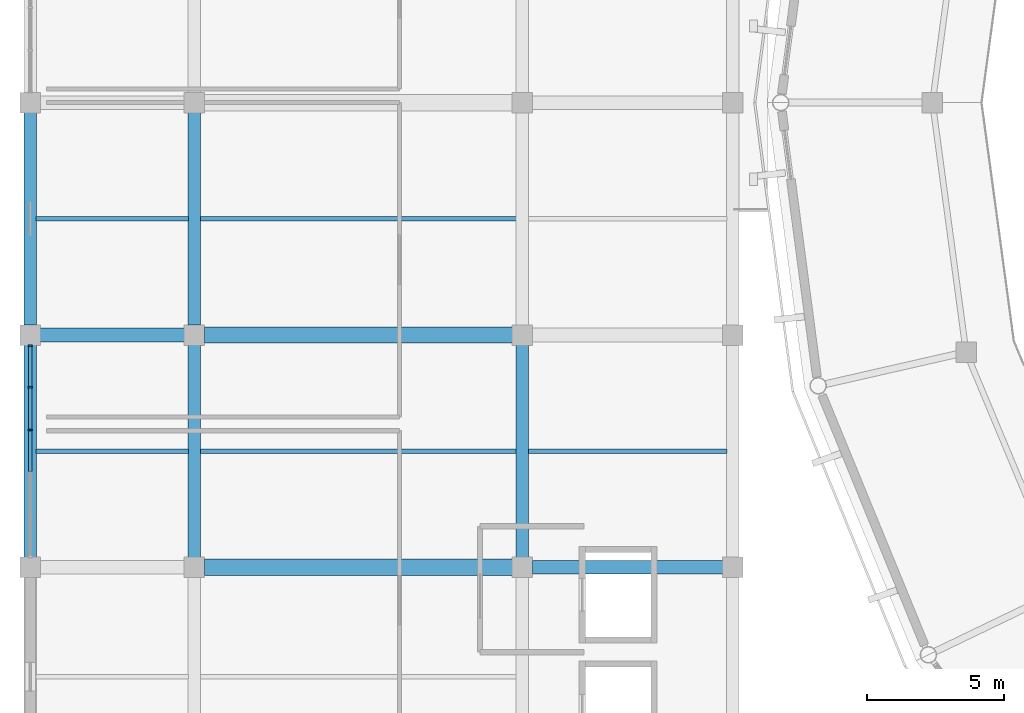
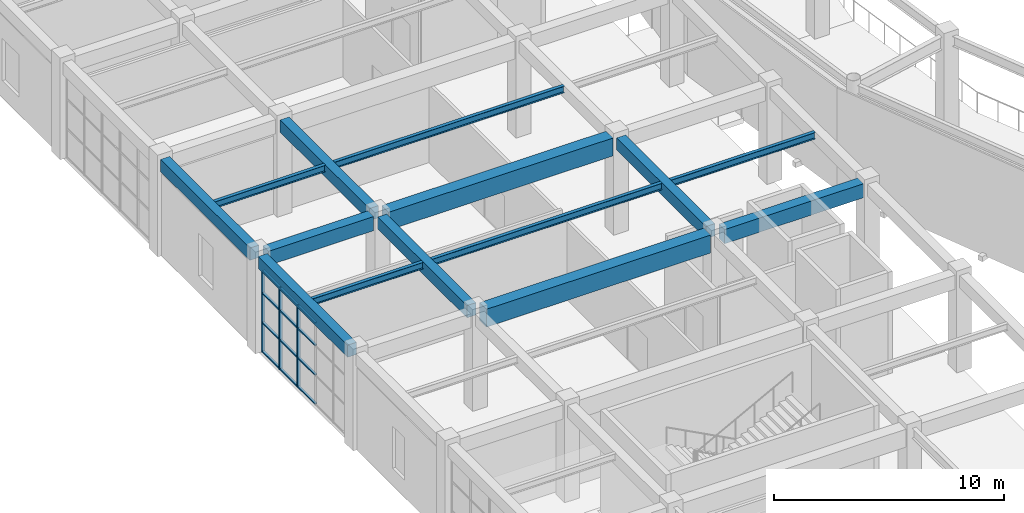
# One storey, part 15 of 70: 15 members, 14 beams, 1 element without a shape of its own.
"""IFC4 building model written with IfcOpenShell, lengths in metres."""

from ifc_helpers import new_model, si_unit, direction, frame, origin, origin_2d, place, context, subcontext, project, spatial, rectangle, i_section, extrude, material, material_profile, profile_set, type_object, element, aggregate, save


model = new_model("IFC4")

# Units and contexts
model_context = context("Model", 3, precision=1e-05, world=origin(), true_north=direction((0.0, 1.0)))
body_context = subcontext(model_context, "Body", "Model", "MODEL_VIEW")
ifc_project = project(units=[si_unit("LENGTHUNIT", "METRE"), si_unit("AREAUNIT", "SQUARE_METRE"), si_unit("VOLUMEUNIT", "CUBIC_METRE"), si_unit("PLANEANGLEUNIT", "RADIAN"), si_unit("MASSUNIT", "GRAM", prefix="KILO")], contexts=[model_context])

# Site, building, storey
site_placement = place(None, origin())
site = spatial("IfcSite", under=ifc_project, at=site_placement, CompositionType="ELEMENT")
building_placement = place(site_placement, origin())
building = spatial("IfcBuilding", under=site, at=building_placement, Name="Cuetzalor Civic Arena", CompositionType="ELEMENT")
storey_placement = place(building_placement, frame((0.0, 0.0, 21.0)))
storey = spatial("IfcBuildingStorey", under=building, at=storey_placement, Name="L04", CompositionType="ELEMENT", Elevation=21.0)

# Beams
ifc_material_1 = material(Name="Concrete C40/50", Category="concrete")
ifc_material_profile_1 = material_profile(ifc_material_1, rectangle(XDim=0.5, YDim=0.75, at=origin_2d()), Name="RC 500x750")
ifc_profile_set_1 = profile_set([ifc_material_profile_1], Name="Concrete C40/50")
beam_type_1 = type_object("IfcBeamType", Name="ConcreteFrameBeam_500x750", PredefinedType="BEAM", material=ifc_profile_set_1)
beam_1_placement = place(storey_placement, frame((-63.635009765625, -17.0, 4.7451171875), z_axis=(1.0, 0.0, 0.0), x_axis=(0.0, 1.0, 0.0)))
element("IfcBeam", 1, at=beam_1_placement, inside=storey, type_object=beam_type_1, Name="Frame Girder V4W-L04-X1100", PredefinedType="BEAM", context=body_context, shape_type="SweptSolid", body=[
    extrude(rectangle(XDim=0.5, YDim=0.75, at=origin_2d()), origin(), (0.0, 0.0, 1.0), 6.969970703125),
])
beam_2_placement = place(storey_placement, frame((-81.635009765625, -8.5, 4.7451171875), z_axis=(1.0, 0.0, 0.0), x_axis=(0.0, 1.0, 0.0)))
element("IfcBeam", 2, at=beam_2_placement, inside=storey, type_object=beam_type_1, Name="Frame Girder V4W-L04-X1101", PredefinedType="BEAM", context=body_context, shape_type="SweptSolid", body=[
    extrude(rectangle(XDim=0.5, YDim=0.75, at=origin_2d()), origin(), (0.0, 0.0, 1.0), 5.27001953125),
])
ifc_material_2 = material(Name="Concrete C40/50", Category="concrete")
ifc_material_profile_2 = material_profile(ifc_material_2, rectangle(XDim=0.60009765625, YDim=0.949951171875, at=origin_2d()), Name="RC 600x950")
ifc_profile_set_2 = profile_set([ifc_material_profile_2], Name="Concrete C40/50")
beam_type_2 = type_object("IfcBeamType", Name="ConcreteFrameBeam_600x950", PredefinedType="BEAM", material=ifc_profile_set_2)
for number, where, z_axis, x_axis, name in (
    (3, (-75.635009765625, -17.0, 4.64501953125), (1.0, 0.0, 0.0), (0.0, 1.0, 0.0), "Frame Girder V4W-L04-X1099"),
    (4, (-75.635009765625, -8.5, 4.64501953125), (1.0, 0.0, 0.0), (0.0, 1.0, 0.0), "Frame Girder V4W-L04-X1102"),
):
    element("IfcBeam", number, at=place(storey_placement, frame(where, z_axis=z_axis, x_axis=x_axis)), inside=storey, type_object=beam_type_2, Name=name, PredefinedType="BEAM", context=body_context, shape_type="SweptSolid", body=[
        extrude(rectangle(XDim=0.60009765625, YDim=0.949951171875, at=origin_2d()), origin(), (0.0, 0.0, 1.0), 11.27001953125),
    ])
ifc_material_3 = material(Name="Concrete C40/50", Category="concrete")
ifc_material_profile_3 = material_profile(ifc_material_3, rectangle(XDim=0.449951171875, YDim=0.64990234375, at=origin_2d()), Name="RC 450x650")
ifc_profile_set_3 = profile_set([ifc_material_profile_3], Name="Concrete C40/50")
beam_type_3 = type_object("IfcBeamType", Name="ConcreteTieBeam_450x650", PredefinedType="BEAM", material=ifc_profile_set_3)
for number, where, z_axis, x_axis, name in (
    (5, (-82.0, -16.635009765625, 4.794921875), (0.0, 1.0, 0.0), (-1.0, 0.0, 0.0), "Frame Girder V4W-L04-Y1119"),
    (6, (-82.0, -8.135009765625, 4.794921875), (0.0, 1.0, 0.0), (-1.0, 0.0, 0.0), "Frame Girder V4W-L04-Y1120"),
    (7, (-76.0, -16.635009765625, 4.794921875), (0.0, 1.0, 0.0), (-1.0, 0.0, 0.0), "Frame Girder V4W-L04-Y1127"),
    (8, (-76.0, -8.135009765625, 4.794921875), (0.0, 1.0, 0.0), (-1.0, 0.0, 0.0), "Frame Girder V4W-L04-Y1128"),
    (9, (-64.0, -16.635009765625, 4.794921875), (0.0, 1.0, 0.0), (-1.0, 0.0, 0.0), "Frame Girder V4W-L04-Y1135"),
):
    element("IfcBeam", number, at=place(storey_placement, frame(where, z_axis=z_axis, x_axis=x_axis)), inside=storey, type_object=beam_type_3, Name=name, PredefinedType="BEAM", context=body_context, shape_type="SweptSolid", body=[
        extrude(rectangle(XDim=0.449951171875, YDim=0.64990234375, at=origin_2d()), origin(), (0.0, 0.0, 1.0), 7.77001953125),
    ])

# Curtain wall, members
ifc_material_4 = material(Name="Anodised dark bronze aluminium and low-E solar glass", Category="aluminium")
curtain_wall_type = type_object("IfcCurtainWallType", Name="UnitisedCW_7800x4350", PredefinedType="USERDEFINED", material=ifc_material_4)
curtain_wall_placement = place(storey_placement, origin())
curtain_wall = element("IfcCurtainWall", 10, at=curtain_wall_placement, inside=storey, type_object=curtain_wall_type, Name="V4W Suite Viewing Curtain Wall L04-124", ObjectType="UNITISED CURTAIN WALL", PredefinedType="USERDEFINED")
ifc_material_5 = material(Name="Anodised dark bronze aluminium", Category="aluminium")
ifc_material_profile_4 = material_profile(ifc_material_5, rectangle(XDim=0.06494140625, YDim=0.14990234375, at=origin_2d()), Name="ALU MULLION 65x150")
ifc_profile_set_4 = profile_set([ifc_material_profile_4], Name="Anodised dark bronze aluminium")
member_type_1 = type_object("IfcMemberType", Name="CurtainWallMullion_60x150", PredefinedType="MULLION", material=ifc_profile_set_4)
member_1_placement = place(storey_placement, frame((-82.0, -11.971435546875, 0.0), z_axis=(0.0, 0.0, 1.0), x_axis=(0.0, 1.0, 0.0)))
member_1 = element("IfcMember", 11, at=member_1_placement, type_object=member_type_1, Name="CW-47 mullion 4", PredefinedType="MULLION", context=body_context, shape_type="SweptSolid", body=[
    extrude(rectangle(XDim=0.06494140625, YDim=0.14990234375, at=origin_2d()), origin(), (0.0, 0.0, 1.0), 4.360107421875),
])
member_2_placement = place(storey_placement, frame((-82.0, -10.414306640625, 0.0), z_axis=(0.0, 0.0, 1.0), x_axis=(0.0, 1.0, 0.0)))
member_2 = element("IfcMember", 12, at=member_2_placement, type_object=member_type_1, Name="CW-47 mullion 5", PredefinedType="MULLION", context=body_context, shape_type="SweptSolid", body=[
    extrude(rectangle(XDim=0.06494140625, YDim=0.14990234375, at=origin_2d()), origin(), (0.0, 0.0, 1.0), 4.360107421875),
])
member_3_placement = place(storey_placement, frame((-82.0, -8.889404296875, 0.0), z_axis=(0.0, 0.0, 1.0), x_axis=(0.0, 1.0, 0.0)))
member_3 = element("IfcMember", 13, at=member_3_placement, type_object=member_type_1, Name="CW-47 mullion 6", PredefinedType="MULLION", context=body_context, shape_type="SweptSolid", body=[
    extrude(rectangle(XDim=0.06494140625, YDim=0.14990234375, at=origin_2d()), origin(), (0.0, 0.0, 1.0), 4.360107421875),
])
ifc_material_6 = material(Name="Anodised dark bronze aluminium", Category="aluminium")
ifc_material_profile_5 = material_profile(ifc_material_6, rectangle(XDim=0.1201171875, YDim=0.06494140625, at=origin_2d()), Name="ALU TRANSOM 65x120")
ifc_profile_set_5 = profile_set([ifc_material_profile_5], Name="Anodised dark bronze aluminium")
member_type_2 = type_object("IfcMemberType", Name="CurtainWallTransom_60x120", PredefinedType="USERDEFINED", material=ifc_profile_set_5)
member_4_placement = place(storey_placement, frame((-82.0, -13.49609375, 0.032470703125), z_axis=(0.0, 1.0, 0.0), x_axis=(-1.0, 0.0, 0.0)))
member_4 = element("IfcMember", 14, at=member_4_placement, type_object=member_type_2, Name="CW-47 transom 3.1", ObjectType="TRANSOM", PredefinedType="USERDEFINED", context=body_context, shape_type="SweptSolid", body=[
    extrude(rectangle(XDim=0.1201171875, YDim=0.06494140625, at=origin_2d()), origin(), (0.0, 0.0, 1.0), 1.4921875),
])
member_5_placement = place(storey_placement, frame((-82.0, -13.49609375, 1.570068359375), z_axis=(0.0, 1.0, 0.0), x_axis=(-1.0, 0.0, 0.0)))
member_5 = element("IfcMember", 15, at=member_5_placement, type_object=member_type_2, Name="CW-47 transom 3.2", ObjectType="TRANSOM", PredefinedType="USERDEFINED", context=body_context, shape_type="SweptSolid", body=[
    extrude(rectangle(XDim=0.1201171875, YDim=0.06494140625, at=origin_2d()), origin(), (0.0, 0.0, 1.0), 1.4921875),
])
member_6_placement = place(storey_placement, frame((-82.0, -13.49609375, 3.138916015625), z_axis=(0.0, 1.0, 0.0), x_axis=(-1.0, 0.0, 0.0)))
member_6 = element("IfcMember", 16, at=member_6_placement, type_object=member_type_2, Name="CW-47 transom 3.3", ObjectType="TRANSOM", PredefinedType="USERDEFINED", context=body_context, shape_type="SweptSolid", body=[
    extrude(rectangle(XDim=0.1201171875, YDim=0.06494140625, at=origin_2d()), origin(), (0.0, 0.0, 1.0), 1.4921875),
])
member_7_placement = place(storey_placement, frame((-82.0, -13.49609375, 4.327392578125), z_axis=(0.0, 1.0, 0.0), x_axis=(-1.0, 0.0, 0.0)))
member_7 = element("IfcMember", 17, at=member_7_placement, type_object=member_type_2, Name="CW-47 transom 3.4", ObjectType="TRANSOM", PredefinedType="USERDEFINED", context=body_context, shape_type="SweptSolid", body=[
    extrude(rectangle(XDim=0.1201171875, YDim=0.06494140625, at=origin_2d()), origin(), (0.0, 0.0, 1.0), 1.4921875),
])
member_8_placement = place(storey_placement, frame((-82.0, -11.93896484375, 0.032470703125), z_axis=(0.0, 1.0, 0.0), x_axis=(-1.0, 0.0, 0.0)))
member_8 = element("IfcMember", 18, at=member_8_placement, type_object=member_type_2, Name="CW-47 transom 4.1", ObjectType="TRANSOM", PredefinedType="USERDEFINED", context=body_context, shape_type="SweptSolid", body=[
    extrude(rectangle(XDim=0.1201171875, YDim=0.06494140625, at=origin_2d()), origin(), (0.0, 0.0, 1.0), 1.4921875),
])
member_9_placement = place(storey_placement, frame((-82.0, -11.93896484375, 1.570068359375), z_axis=(0.0, 1.0, 0.0), x_axis=(-1.0, 0.0, 0.0)))
member_9 = element("IfcMember", 19, at=member_9_placement, type_object=member_type_2, Name="CW-47 transom 4.2", ObjectType="TRANSOM", PredefinedType="USERDEFINED", context=body_context, shape_type="SweptSolid", body=[
    extrude(rectangle(XDim=0.1201171875, YDim=0.06494140625, at=origin_2d()), origin(), (0.0, 0.0, 1.0), 1.4921875),
])
member_10_placement = place(storey_placement, frame((-82.0, -11.93896484375, 3.138916015625), z_axis=(0.0, 1.0, 0.0), x_axis=(-1.0, 0.0, 0.0)))
member_10 = element("IfcMember", 20, at=member_10_placement, type_object=member_type_2, Name="CW-47 transom 4.3", ObjectType="TRANSOM", PredefinedType="USERDEFINED", context=body_context, shape_type="SweptSolid", body=[
    extrude(rectangle(XDim=0.1201171875, YDim=0.06494140625, at=origin_2d()), origin(), (0.0, 0.0, 1.0), 1.4921875),
])
member_11_placement = place(storey_placement, frame((-82.0, -11.93896484375, 4.327392578125), z_axis=(0.0, 1.0, 0.0), x_axis=(-1.0, 0.0, 0.0)))
member_11 = element("IfcMember", 21, at=member_11_placement, type_object=member_type_2, Name="CW-47 transom 4.4", ObjectType="TRANSOM", PredefinedType="USERDEFINED", context=body_context, shape_type="SweptSolid", body=[
    extrude(rectangle(XDim=0.1201171875, YDim=0.06494140625, at=origin_2d()), origin(), (0.0, 0.0, 1.0), 1.4921875),
])
member_12_placement = place(storey_placement, frame((-82.0, -10.381591796875, 0.032470703125), z_axis=(0.0, 1.0, 0.0), x_axis=(-1.0, 0.0, 0.0)))
member_12 = element("IfcMember", 22, at=member_12_placement, type_object=member_type_2, Name="CW-47 transom 5.1", ObjectType="TRANSOM", PredefinedType="USERDEFINED", context=body_context, shape_type="SweptSolid", body=[
    extrude(rectangle(XDim=0.1201171875, YDim=0.06494140625, at=origin_2d()), origin(), (0.0, 0.0, 1.0), 1.45947265625),
])
member_13_placement = place(storey_placement, frame((-82.0, -10.381591796875, 1.570068359375), z_axis=(0.0, 1.0, 0.0), x_axis=(-1.0, 0.0, 0.0)))
member_13 = element("IfcMember", 23, at=member_13_placement, type_object=member_type_2, Name="CW-47 transom 5.2", ObjectType="TRANSOM", PredefinedType="USERDEFINED", context=body_context, shape_type="SweptSolid", body=[
    extrude(rectangle(XDim=0.1201171875, YDim=0.06494140625, at=origin_2d()), origin(), (0.0, 0.0, 1.0), 1.45947265625),
])
member_14_placement = place(storey_placement, frame((-82.0, -10.381591796875, 3.138916015625), z_axis=(0.0, 1.0, 0.0), x_axis=(-1.0, 0.0, 0.0)))
member_14 = element("IfcMember", 24, at=member_14_placement, type_object=member_type_2, Name="CW-47 transom 5.3", ObjectType="TRANSOM", PredefinedType="USERDEFINED", context=body_context, shape_type="SweptSolid", body=[
    extrude(rectangle(XDim=0.1201171875, YDim=0.06494140625, at=origin_2d()), origin(), (0.0, 0.0, 1.0), 1.45947265625),
])
member_15_placement = place(storey_placement, frame((-82.0, -10.381591796875, 4.327392578125), z_axis=(0.0, 1.0, 0.0), x_axis=(-1.0, 0.0, 0.0)))
member_15 = element("IfcMember", 25, at=member_15_placement, type_object=member_type_2, Name="CW-47 transom 5.4", ObjectType="TRANSOM", PredefinedType="USERDEFINED", context=body_context, shape_type="SweptSolid", body=[
    extrude(rectangle(XDim=0.1201171875, YDim=0.06494140625, at=origin_2d()), origin(), (0.0, 0.0, 1.0), 1.45947265625),
])
aggregate(curtain_wall, [member_1, member_2, member_3, member_4, member_5, member_6, member_7, member_8, member_9, member_10, member_11, member_12, member_13, member_14, member_15])

# Beams
ifc_material_7 = material(Name="Steel S355", Category="steel")
ifc_material_profile_6 = material_profile(ifc_material_7, i_section(OverallWidth=0.1708984375, OverallDepth=0.35498046875, WebThickness=0.007080078125, FlangeThickness=0.01171875, at=origin_2d()), Name="W360x51")
ifc_profile_set_6 = profile_set([ifc_material_profile_6], Name="Steel S355")
beam_type_4 = type_object("IfcBeamType", Name="SecondaryFloorJoist_W360", PredefinedType="JOIST", material=ifc_profile_set_6)
for number, where, z_axis, x_axis, name in (
    (26, (-81.782958984375, -12.75, 4.9423828125), (1.0, 0.0, 0.0), (0.0, 1.0, 0.0), "Secondary Floor Joist V4W-L04-0339"),
    (27, (-81.782958984375, -4.25, 4.9423828125), (1.0, 0.0, 0.0), (0.0, 1.0, 0.0), "Secondary Floor Joist V4W-L04-0340"),
):
    element("IfcBeam", number, at=place(storey_placement, frame(where, z_axis=z_axis, x_axis=x_axis)), inside=storey, type_object=beam_type_4, Name=name, PredefinedType="JOIST", context=body_context, shape_type="SweptSolid", body=[
        extrude(i_section(OverallWidth=0.1708984375, OverallDepth=0.35498046875, WebThickness=0.007080078125, FlangeThickness=0.01171875, at=origin_2d()), origin(), (0.0, 0.0, 1.0), 5.56591796875),
    ])
for number, where, z_axis, x_axis, name in (
    (28, (-75.782958984375, -12.75, 4.9423828125), (1.0, 0.0, 0.0), (0.0, 1.0, 0.0), "Secondary Floor Joist V4W-L04-0346"),
    (29, (-75.782958984375, -4.25, 4.9423828125), (1.0, 0.0, 0.0), (0.0, 1.0, 0.0), "Secondary Floor Joist V4W-L04-0347"),
):
    element("IfcBeam", number, at=place(storey_placement, frame(where, z_axis=z_axis, x_axis=x_axis)), inside=storey, type_object=beam_type_4, Name=name, PredefinedType="JOIST", context=body_context, shape_type="SweptSolid", body=[
        extrude(i_section(OverallWidth=0.1708984375, OverallDepth=0.35498046875, WebThickness=0.007080078125, FlangeThickness=0.01171875, at=origin_2d()), origin(), (0.0, 0.0, 1.0), 11.56591796875),
    ])
beam_3_placement = place(storey_placement, frame((-63.782958984375, -12.75, 4.9423828125), z_axis=(1.0, 0.0, 0.0), x_axis=(0.0, 1.0, 0.0)))
element("IfcBeam", 30, at=beam_3_placement, inside=storey, type_object=beam_type_4, Name="Secondary Floor Joist V4W-L04-0352", PredefinedType="JOIST", context=body_context, shape_type="SweptSolid", body=[
    extrude(i_section(OverallWidth=0.1708984375, OverallDepth=0.35498046875, WebThickness=0.007080078125, FlangeThickness=0.01171875, at=origin_2d()), origin(), (0.0, 0.0, 1.0), 7.265869140625),
])

save(model, "model.ifc")
